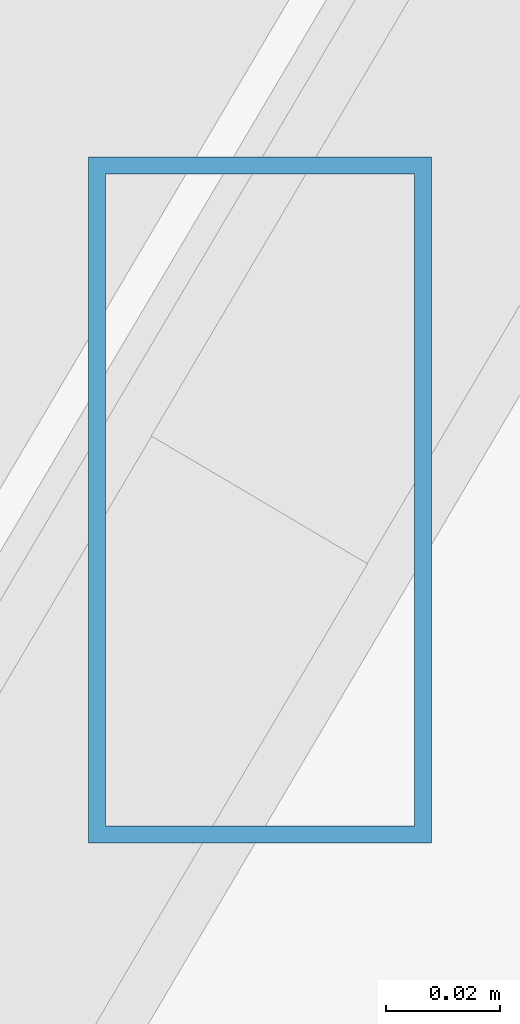
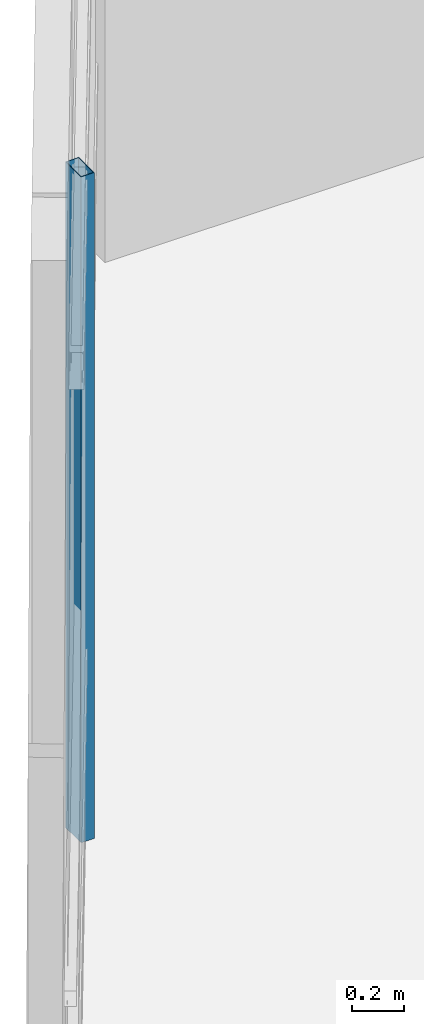
# One storey, part 7 of 44: 1 member, 1 element without a shape of its own.
"""IFC4 building model written with IfcOpenShell, lengths in metres."""

from ifc_helpers import new_model, si_unit, direction, frame, origin, origin_2d, place, context, subcontext, project, spatial, hollow_rectangle, extrude, source, transform, mapped, material, material_profile, profile_set, type_object, type_shapes, element, aggregate, save


model = new_model("IFC4")

# Units and contexts
model_context = context("Model", 3, precision=1e-05, world=origin(), true_north=direction((0.0, 1.0)))
body_context = subcontext(model_context, "Body", "Model", "MODEL_VIEW")
ifc_project = project(units=[si_unit("LENGTHUNIT", "METRE"), si_unit("AREAUNIT", "SQUARE_METRE"), si_unit("VOLUMEUNIT", "CUBIC_METRE"), si_unit("PLANEANGLEUNIT", "RADIAN"), si_unit("MASSUNIT", "GRAM", prefix="KILO")], contexts=[model_context])

# Site, building, storey
site_placement = place(None, origin())
site = spatial("IfcSite", under=ifc_project, at=site_placement, CompositionType="ELEMENT")
building_placement = place(site_placement, origin())
building = spatial("IfcBuilding", under=site, at=building_placement, Name="Caelisora Broadcast Tower", CompositionType="ELEMENT")
storey_placement = place(building_placement, frame((0.0, 0.0, 289.800048828125)))
storey = spatial("IfcBuildingStorey", under=building, at=storey_placement, Name="L76", CompositionType="ELEMENT", Elevation=289.800048828125)

# Curtain wall, member
ifc_material_1 = material(Name="Unitised Aluminium Insulated Shadow-Box Spandrel Curtain Wall", Category="aluminium")
curtain_wall_type = type_object("IfcCurtainWallType", Name="CW-SP3", PredefinedType="NOTDEFINED", material=ifc_material_1)
curtain_wall_placement = place(storey_placement, origin())
curtain_wall = element("IfcCurtainWall", 1, at=curtain_wall_placement, inside=storey, type_object=curtain_wall_type, Name="L76 curtain wall CW-SP3", PredefinedType="NOTDEFINED")
ifc_material_2 = material(Name="Aluminium 6063-T6 Anodised Terracotta Bronze", Category="aluminium")
ifc_material_profile = material_profile(ifc_material_2, hollow_rectangle(XDim=0.06005859375, YDim=0.1201171875, WallThickness=0.0029296875, at=origin_2d()), Name="Aluminium 6063-T6 Anodised Terracotta Bronze")
ifc_profile_set = profile_set([ifc_material_profile], Name="Aluminium 6063-T6 Anodised Terracotta Bronze")
member_type = type_object("IfcMemberType", Name="CWM-04", PredefinedType="MULLION", material=ifc_profile_set)
shared_shape = source(origin(), body_context, "Body", "SweptSolid", [
    extrude(hollow_rectangle(XDim=0.06005859375, YDim=0.1201171875, WallThickness=0.0029296875, at=origin_2d()), origin(), (0.0, 0.0, 1.0), 3.14990234375),
])
type_shapes(member_type, [shared_shape])
member_placement = place(storey_placement, frame((15.600341796875, 16.621826171875, 0.0), z_axis=(0.0, 0.0, 1.0), x_axis=(1.0, 0.0, 0.0)))
member = element("IfcMember", 2, at=member_placement, type_object=member_type, Name="L76-CW-B09 mullion #1", PredefinedType="MULLION", context=body_context, shape_type="MappedRepresentation", body=[
    mapped(shared_shape, transform((0.0, 0.0, 0.0), scale=1.0)),
])
aggregate(curtain_wall, [member])

save(model, "model.ifc")
